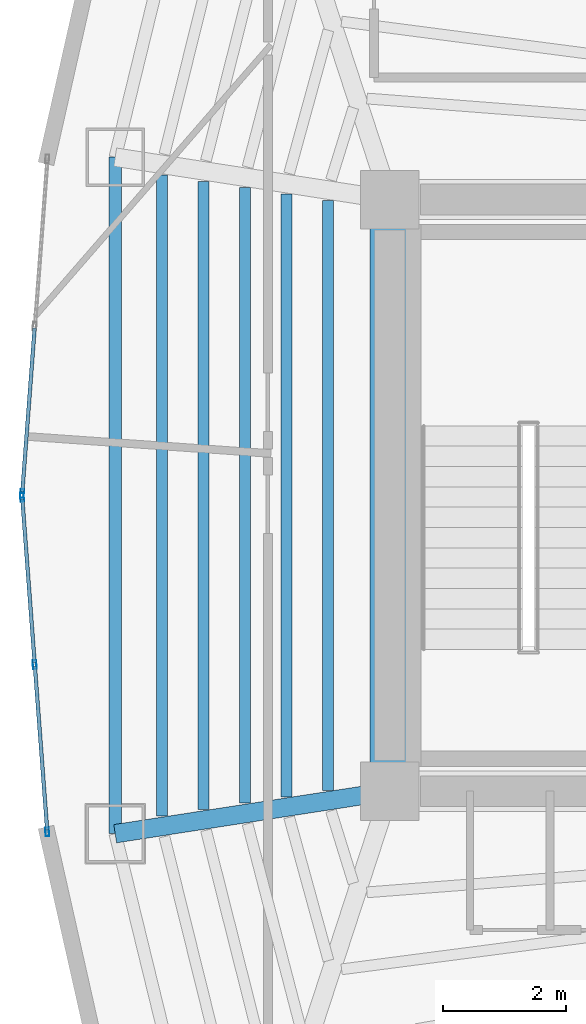
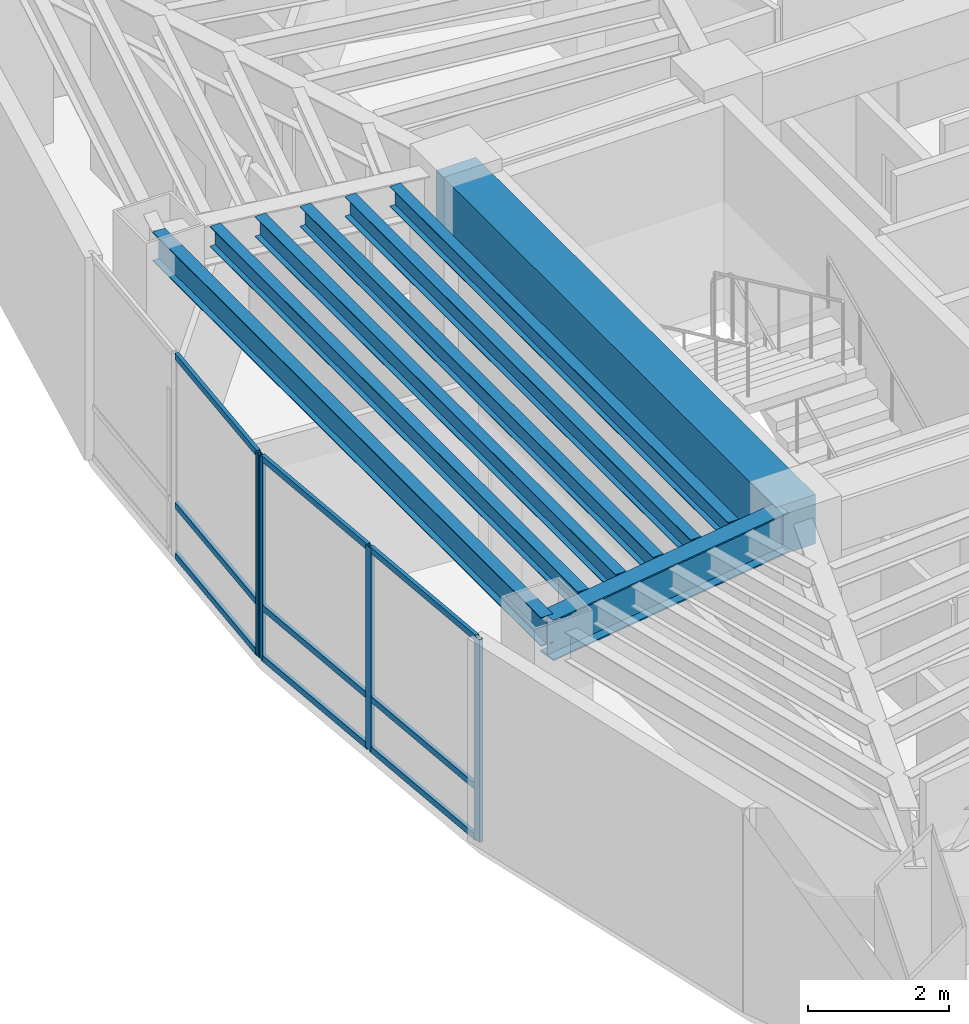
# One storey, part 3 of 15: 13 members, 8 beams, 2 elements without a shape of their own.
"""IFC4 building model written with IfcOpenShell, lengths in metres."""

from ifc_helpers import new_model, si_unit, direction, frame, origin, origin_2d, place, context, subcontext, project, spatial, rectangle, hollow_rectangle, i_section, extrude, material, layer, layer_set, material_profile, profile_set, type_object, element, aggregate, save


model = new_model("IFC4")

# Units and contexts
model_context = context("Model", 3, precision=1e-05, world=origin(), true_north=direction((0.0, 1.0)))
body_context = subcontext(model_context, "Body", "Model", "MODEL_VIEW")
ifc_project = project(units=[si_unit("LENGTHUNIT", "METRE"), si_unit("AREAUNIT", "SQUARE_METRE"), si_unit("VOLUMEUNIT", "CUBIC_METRE"), si_unit("PLANEANGLEUNIT", "RADIAN"), si_unit("MASSUNIT", "GRAM", prefix="KILO")], contexts=[model_context])

# Site, building, storey
site_placement = place(None, origin())
site = spatial("IfcSite", under=ifc_project, at=site_placement, CompositionType="ELEMENT")
building_placement = place(site_placement, origin())
building = spatial("IfcBuilding", under=site, at=building_placement, Name="Menara Vayukalpa", CompositionType="ELEMENT")
storey_placement = place(building_placement, frame((0.0, 0.0, 223.260009765625)))
storey = spatial("IfcBuildingStorey", under=building, at=storey_placement, Name="L56", CompositionType="ELEMENT", Elevation=223.260009765625)

# Beams
ifc_material_1 = material(Name="Concrete C60/75", Category="concrete")
ifc_material_profile_1 = material_profile(ifc_material_1, rectangle(XDim=0.64990234375, YDim=0.85009765625, at=origin_2d()), Name="RC 650x850")
ifc_profile_set_1 = profile_set([ifc_material_profile_1], Name="Concrete C60/75")
beam_type_1 = type_object("IfcBeamType", Name="BM-CB1", PredefinedType="BEAM", material=ifc_profile_set_1)
beam_1_placement = place(storey_placement, frame((17.800048828125, 17.199951171875, 3.074951171875), z_axis=(0.0, 1.0, 0.0), x_axis=(-1.0, 0.0, 0.0)))
element("IfcBeam", 1, at=beam_1_placement, inside=storey, type_object=beam_type_1, Name="L56 Core Tie Beam CBR7", PredefinedType="BEAM", context=body_context, shape_type="SweptSolid", body=[
    extrude(rectangle(XDim=0.64990234375, YDim=0.85009765625, at=origin_2d()), origin(), (0.0, 0.0, 1.0), 9.60009765625),
])
ifc_material_2 = material(Name="Steel S355", Category="steel")
ifc_material_profile_2 = material_profile(ifc_material_2, i_section(OverallWidth=0.300048828125, OverallDepth=0.699951171875, WebThickness=0.012939453125, FlangeThickness=0.02392578125, at=origin_2d()), Name="WF 700x300x13x24")
ifc_profile_set_2 = profile_set([ifc_material_profile_2], Name="Steel S355")
beam_type_2 = type_object("IfcBeamType", Name="BM-PG5", PredefinedType="BEAM", material=ifc_profile_set_2)
beam_2_placement = place(storey_placement, frame((17.552978515625, 17.161865234375, 3.14990234375), z_axis=(-0.988244781219, -0.152879862617, 0.0), x_axis=(0.152879862617, -0.988244781219, 0.0)))
element("IfcBeam", 2, at=beam_2_placement, inside=storey, type_object=beam_type_2, Name="L56 Primary Radial Girder RG06", PredefinedType="BEAM", context=body_context, shape_type="SweptSolid", body=[
    extrude(i_section(OverallWidth=0.300048828125, OverallDepth=0.699951171875, WebThickness=0.012939453125, FlangeThickness=0.02392578125, at=origin_2d()), origin(), (0.0, 0.0, 1.0), 4.259033203125),
])
ifc_material_3 = material(Name="Steel S355", Category="steel")
ifc_material_profile_3 = material_profile(ifc_material_3, i_section(OverallWidth=0.175048828125, OverallDepth=0.35009765625, WebThickness=0.007080078125, FlangeThickness=0.010986328125, at=origin_2d()), Name="WF 350x175x7x11")
ifc_profile_set_3 = profile_set([ifc_material_profile_3], Name="Steel S355")
beam_type_3 = type_object("IfcBeamType", Name="BM-SJ3", PredefinedType="JOIST", material=ifc_profile_set_3)
beam_3_placement = place(storey_placement, frame((16.79541015625, 26.785400390625, 3.324951171875), z_axis=(0.0, -1.0, 0.0), x_axis=(1.0, 0.0, 0.0)))
element("IfcBeam", 3, at=beam_3_placement, inside=storey, type_object=beam_type_3, Name="L56 Secondary Floor Joist SJ05-1", PredefinedType="JOIST", context=body_context, shape_type="SweptSolid", body=[
    extrude(i_section(OverallWidth=0.175048828125, OverallDepth=0.35009765625, WebThickness=0.007080078125, FlangeThickness=0.010986328125, at=origin_2d()), origin(), (0.0, 0.0, 1.0), 9.57080078125),
])
beam_4_placement = place(storey_placement, frame((16.121826171875, 26.889404296875, 3.324951171875), z_axis=(0.0, -1.0, 0.0), x_axis=(1.0, 0.0, 0.0)))
element("IfcBeam", 4, at=beam_4_placement, inside=storey, type_object=beam_type_3, Name="L56 Secondary Floor Joist SJ05-2", PredefinedType="JOIST", context=body_context, shape_type="SweptSolid", body=[
    extrude(i_section(OverallWidth=0.175048828125, OverallDepth=0.35009765625, WebThickness=0.007080078125, FlangeThickness=0.010986328125, at=origin_2d()), origin(), (0.0, 0.0, 1.0), 9.77880859375),
])
beam_5_placement = place(storey_placement, frame((15.448486328125, 26.99365234375, 3.324951171875), z_axis=(0.0, -1.0, 0.0), x_axis=(1.0, 0.0, 0.0)))
element("IfcBeam", 5, at=beam_5_placement, inside=storey, type_object=beam_type_3, Name="L56 Secondary Floor Joist SJ05-3", PredefinedType="JOIST", context=body_context, shape_type="SweptSolid", body=[
    extrude(i_section(OverallWidth=0.175048828125, OverallDepth=0.35009765625, WebThickness=0.007080078125, FlangeThickness=0.010986328125, at=origin_2d()), origin(), (0.0, 0.0, 1.0), 9.9873046875),
])
beam_6_placement = place(storey_placement, frame((14.77490234375, 27.097900390625, 3.324951171875), z_axis=(0.0, -1.0, 0.0), x_axis=(1.0, 0.0, 0.0)))
element("IfcBeam", 6, at=beam_6_placement, inside=storey, type_object=beam_type_3, Name="L56 Secondary Floor Joist SJ05-4", PredefinedType="JOIST", context=body_context, shape_type="SweptSolid", body=[
    extrude(i_section(OverallWidth=0.175048828125, OverallDepth=0.35009765625, WebThickness=0.007080078125, FlangeThickness=0.010986328125, at=origin_2d()), origin(), (0.0, 0.0, 1.0), 10.19580078125),
])
beam_7_placement = place(storey_placement, frame((14.1015625, 27.201904296875, 3.324951171875), z_axis=(0.0, -1.0, 0.0), x_axis=(1.0, 0.0, 0.0)))
element("IfcBeam", 7, at=beam_7_placement, inside=storey, type_object=beam_type_3, Name="L56 Secondary Floor Joist SJ05-5", PredefinedType="JOIST", context=body_context, shape_type="SweptSolid", body=[
    extrude(i_section(OverallWidth=0.175048828125, OverallDepth=0.35009765625, WebThickness=0.007080078125, FlangeThickness=0.010986328125, at=origin_2d()), origin(), (0.0, 0.0, 1.0), 10.40380859375),
])
ifc_material_4 = material(Name="Steel S355", Category="steel")
ifc_material_profile_4 = material_profile(ifc_material_4, i_section(OverallWidth=0.199951171875, OverallDepth=0.5, WebThickness=0.010009765625, FlangeThickness=0.01611328125, at=origin_2d()), Name="WF 500x200x10x16")
ifc_profile_set_4 = profile_set([ifc_material_profile_4], Name="Steel S355")
beam_type_4 = type_object("IfcBeamType", Name="BM-SP3", PredefinedType="SPANDREL", material=ifc_profile_set_4)
beam_8_placement = place(storey_placement, frame((13.343994140625, 27.4892578125, 3.25), z_axis=(0.0, -1.0, 0.0), x_axis=(1.0, 0.0, 0.0)))
element("IfcBeam", 8, at=beam_8_placement, inside=storey, type_object=beam_type_4, Name="L56 Perimeter Spandrel Beam SP05", PredefinedType="SPANDREL", context=body_context, shape_type="SweptSolid", body=[
    extrude(i_section(OverallWidth=0.199951171875, OverallDepth=0.5, WebThickness=0.010009765625, FlangeThickness=0.01611328125, at=origin_2d()), origin(), (0.0, 0.0, 1.0), 10.978515625),
])

# Curtain wall, member
ifc_material_5 = material(Name="Anodised Terracotta Aluminium Alloy 6063-T6", Category="masonry")
ifc_layer = layer(ifc_material_5, 0.139892578125)
ifc_layer_set = layer_set([ifc_layer], Name="Anodised Terracotta Aluminium Alloy 6063-T6")
curtain_wall_type = type_object("IfcCurtainWallType", Name="CW-CW5", PredefinedType="USERDEFINED", material=ifc_layer_set)
curtain_wall_1_placement = place(storey_placement, origin())
curtain_wall_1 = element("IfcCurtainWall", 9, at=curtain_wall_1_placement, inside=storey, type_object=curtain_wall_type, Name="L56 High Rise Tapered Curtain Wall CW5 10", ObjectType="UNITISED", PredefinedType="USERDEFINED")
ifc_material_6 = material(Name="Anodised Terracotta Aluminium Alloy 6063-T6", Category="masonry")
ifc_material_profile_5 = material_profile(ifc_material_6, hollow_rectangle(XDim=0.06005859375, YDim=0.139892578125, WallThickness=0.00341796875, at=origin_2d()), Name="ALU 60x140x3.5")
ifc_profile_set_5 = profile_set([ifc_material_profile_5], Name="Anodised Terracotta Aluminium Alloy 6063-T6")
member_type_1 = type_object("IfcMemberType", Name="CWM-CW5", PredefinedType="MULLION", material=ifc_profile_set_5)
member_1_placement = place(storey_placement, frame((11.83447265625, 22.030029296875, 0.0), z_axis=(0.0, 0.0, 1.0), x_axis=(0.9971991744, -0.074791754736, 0.0)))
member_1 = element("IfcMember", 10, at=member_1_placement, type_object=member_type_1, Name="CW5 mullion 3", PredefinedType="MULLION", context=body_context, shape_type="SweptSolid", body=[
    extrude(hollow_rectangle(XDim=0.06005859375, YDim=0.139892578125, WallThickness=0.00341796875, at=origin_2d()), origin(), (0.0, 0.0, 1.0), 3.5),
])

# Curtain wall, members
curtain_wall_2_placement = place(storey_placement, origin())
curtain_wall_2 = element("IfcCurtainWall", 11, at=curtain_wall_2_placement, inside=storey, type_object=curtain_wall_type, Name="L56 High Rise Tapered Curtain Wall CW5 11", ObjectType="UNITISED", PredefinedType="USERDEFINED")
member_2_placement = place(storey_placement, frame((11.83447265625, 21.969970703125, 0.0), z_axis=(0.0, 0.0, 1.0), x_axis=(0.9971991744, 0.074791754736, 0.0)))
member_2 = element("IfcMember", 12, at=member_2_placement, type_object=member_type_1, Name="CW5 mullion 1", PredefinedType="MULLION", context=body_context, shape_type="SweptSolid", body=[
    extrude(hollow_rectangle(XDim=0.06005859375, YDim=0.139892578125, WallThickness=0.00341796875, at=origin_2d()), origin(), (0.0, 0.0, 1.0), 3.5),
])
member_3_placement = place(storey_placement, frame((12.0380859375, 19.25537109375, 0.0), z_axis=(0.0, 0.0, 1.0), x_axis=(0.9971991744, 0.074791754736, 0.0)))
member_3 = element("IfcMember", 13, at=member_3_placement, type_object=member_type_1, Name="CW5 mullion 2", PredefinedType="MULLION", context=body_context, shape_type="SweptSolid", body=[
    extrude(hollow_rectangle(XDim=0.06005859375, YDim=0.139892578125, WallThickness=0.00341796875, at=origin_2d()), origin(), (0.0, 0.0, 1.0), 3.5),
])
member_4_placement = place(storey_placement, frame((12.24169921875, 16.540771484375, 0.0), z_axis=(0.0, 0.0, 1.0), x_axis=(0.9971991744, 0.074791754736, 0.0)))
member_4 = element("IfcMember", 14, at=member_4_placement, type_object=member_type_1, Name="CW5 mullion 3", PredefinedType="MULLION", context=body_context, shape_type="SweptSolid", body=[
    extrude(hollow_rectangle(XDim=0.06005859375, YDim=0.139892578125, WallThickness=0.00341796875, at=origin_2d()), origin(), (0.0, 0.0, 1.0), 3.5),
])

# Member
ifc_material_7 = material(Name="Anodised Terracotta Aluminium Alloy 6063-T6", Category="masonry")
ifc_material_profile_6 = material_profile(ifc_material_7, hollow_rectangle(XDim=0.06005859375, YDim=0.10498046875, WallThickness=0.0029296875, at=origin_2d()), Name="ALU 60x105x3")
ifc_profile_set_6 = profile_set([ifc_material_profile_6], Name="Anodised Terracotta Aluminium Alloy 6063-T6")
member_type_2 = type_object("IfcMemberType", Name="CWT-CW5", PredefinedType="USERDEFINED", material=ifc_profile_set_6)
member_5_placement = place(storey_placement, frame((12.035888671875, 24.714599609375, 0.030029296875), z_axis=(-0.074830984436, -0.997196231325, 0.0), x_axis=(0.997196231325, -0.074830984436, 0.0)))
member_5 = element("IfcMember", 15, at=member_5_placement, type_object=member_type_2, Name="CW5 transom 2.1", ObjectType="TRANSOM", PredefinedType="USERDEFINED", context=body_context, shape_type="SweptSolid", body=[
    extrude(hollow_rectangle(XDim=0.06005859375, YDim=0.10498046875, WallThickness=0.0029296875, at=origin_2d()), origin(), (0.0, 0.0, 1.0), 2.662353515625),
])

member_6_placement = place(storey_placement, frame((12.035888671875, 24.714599609375, 0.89990234375), z_axis=(-0.074830984436, -0.997196231325, 0.0), x_axis=(0.997196231325, -0.074830984436, 0.0)))
member_6 = element("IfcMember", 16, at=member_6_placement, type_object=member_type_2, Name="CW5 transom 2.2", ObjectType="TRANSOM", PredefinedType="USERDEFINED", context=body_context, shape_type="SweptSolid", body=[
    extrude(hollow_rectangle(XDim=0.06005859375, YDim=0.10498046875, WallThickness=0.0029296875, at=origin_2d()), origin(), (0.0, 0.0, 1.0), 2.662353515625),
])

member_7_placement = place(storey_placement, frame((12.035888671875, 24.714599609375, 3.469970703125), z_axis=(-0.074830984436, -0.997196231325, 0.0), x_axis=(0.997196231325, -0.074830984436, 0.0)))
member_7 = element("IfcMember", 17, at=member_7_placement, type_object=member_type_2, Name="CW5 transom 2.3", ObjectType="TRANSOM", PredefinedType="USERDEFINED", context=body_context, shape_type="SweptSolid", body=[
    extrude(hollow_rectangle(XDim=0.06005859375, YDim=0.10498046875, WallThickness=0.0029296875, at=origin_2d()), origin(), (0.0, 0.0, 1.0), 2.662353515625),
])

aggregate(curtain_wall_1, [member_1, member_5, member_6, member_7])

member_8_placement = place(storey_placement, frame((11.836669921875, 21.940185546875, 0.030029296875), z_axis=(0.074830984436, -0.997196231325, 0.0), x_axis=(0.997196231325, 0.074830984436, 0.0)))
member_8 = element("IfcMember", 18, at=member_8_placement, type_object=member_type_2, Name="CW5 transom 1.1", ObjectType="TRANSOM", PredefinedType="USERDEFINED", context=body_context, shape_type="SweptSolid", body=[
    extrude(hollow_rectangle(XDim=0.06005859375, YDim=0.10498046875, WallThickness=0.0029296875, at=origin_2d()), origin(), (0.0, 0.0, 1.0), 2.662353515625),
])

member_9_placement = place(storey_placement, frame((11.836669921875, 21.940185546875, 0.89990234375), z_axis=(0.074830984436, -0.997196231325, 0.0), x_axis=(0.997196231325, 0.074830984436, 0.0)))
member_9 = element("IfcMember", 19, at=member_9_placement, type_object=member_type_2, Name="CW5 transom 1.2", ObjectType="TRANSOM", PredefinedType="USERDEFINED", context=body_context, shape_type="SweptSolid", body=[
    extrude(hollow_rectangle(XDim=0.06005859375, YDim=0.10498046875, WallThickness=0.0029296875, at=origin_2d()), origin(), (0.0, 0.0, 1.0), 2.662353515625),
])

member_10_placement = place(storey_placement, frame((11.836669921875, 21.940185546875, 3.469970703125), z_axis=(0.074830984436, -0.997196231325, 0.0), x_axis=(0.997196231325, 0.074830984436, 0.0)))
member_10 = element("IfcMember", 20, at=member_10_placement, type_object=member_type_2, Name="CW5 transom 1.3", ObjectType="TRANSOM", PredefinedType="USERDEFINED", context=body_context, shape_type="SweptSolid", body=[
    extrude(hollow_rectangle(XDim=0.06005859375, YDim=0.10498046875, WallThickness=0.0029296875, at=origin_2d()), origin(), (0.0, 0.0, 1.0), 2.662353515625),
])

member_11_placement = place(storey_placement, frame((12.040283203125, 19.2255859375, 0.030029296875), z_axis=(0.074824141952, -0.997196744771, 0.0), x_axis=(0.997196744771, 0.074824141952, 0.0)))
member_11 = element("IfcMember", 21, at=member_11_placement, type_object=member_type_2, Name="CW5 transom 2.1", ObjectType="TRANSOM", PredefinedType="USERDEFINED", context=body_context, shape_type="SweptSolid", body=[
    extrude(hollow_rectangle(XDim=0.06005859375, YDim=0.10498046875, WallThickness=0.0029296875, at=origin_2d()), origin(), (0.0, 0.0, 1.0), 2.66259765625),
])

member_12_placement = place(storey_placement, frame((12.040283203125, 19.2255859375, 0.89990234375), z_axis=(0.074824141952, -0.997196744771, 0.0), x_axis=(0.997196744771, 0.074824141952, 0.0)))
member_12 = element("IfcMember", 22, at=member_12_placement, type_object=member_type_2, Name="CW5 transom 2.2", ObjectType="TRANSOM", PredefinedType="USERDEFINED", context=body_context, shape_type="SweptSolid", body=[
    extrude(hollow_rectangle(XDim=0.06005859375, YDim=0.10498046875, WallThickness=0.0029296875, at=origin_2d()), origin(), (0.0, 0.0, 1.0), 2.66259765625),
])

member_13_placement = place(storey_placement, frame((12.040283203125, 19.2255859375, 3.469970703125), z_axis=(0.074824141952, -0.997196744771, 0.0), x_axis=(0.997196744771, 0.074824141952, 0.0)))
member_13 = element("IfcMember", 23, at=member_13_placement, type_object=member_type_2, Name="CW5 transom 2.3", ObjectType="TRANSOM", PredefinedType="USERDEFINED", context=body_context, shape_type="SweptSolid", body=[
    extrude(hollow_rectangle(XDim=0.06005859375, YDim=0.10498046875, WallThickness=0.0029296875, at=origin_2d()), origin(), (0.0, 0.0, 1.0), 2.66259765625),
])

aggregate(curtain_wall_2, [member_2, member_3, member_4, member_8, member_9, member_10, member_11, member_12, member_13])

save(model, "model.ifc")
